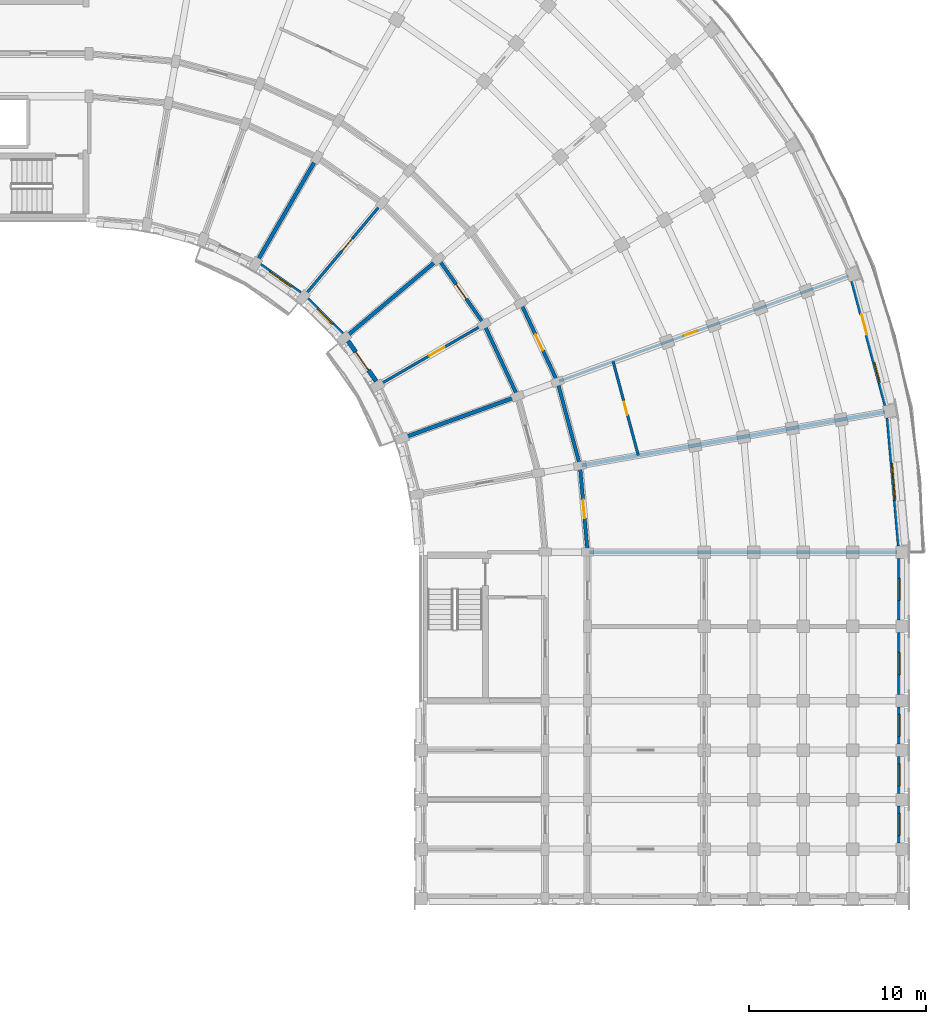
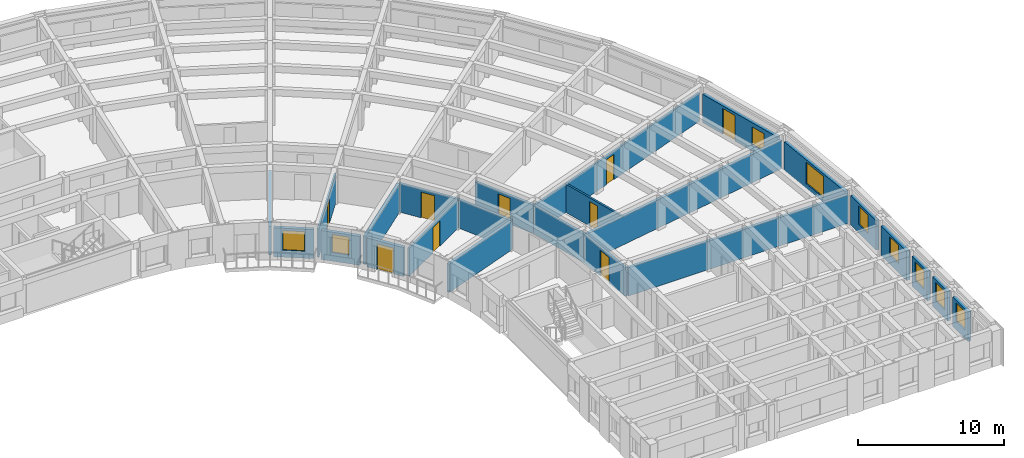
# One storey, part 36 of 57: 24 walls, 9 doors, 9 windows, 18 openings.
"""IFC4 building model written with IfcOpenShell, lengths in metres."""

from ifc_helpers import new_model, si_unit, direction, frame, frame_2d, origin, place, context, subcontext, project, spatial, rectangle, extrude, material, layer, layer_set, type_object, element, fill, save


model = new_model("IFC4")

# Units and contexts
model_context = context("Model", 3, precision=1e-05, world=origin(), true_north=direction((0.0, 1.0)))
body_context = subcontext(model_context, "Body", "Model", "MODEL_VIEW")
ifc_project = project(units=[si_unit("LENGTHUNIT", "METRE"), si_unit("AREAUNIT", "SQUARE_METRE"), si_unit("VOLUMEUNIT", "CUBIC_METRE"), si_unit("PLANEANGLEUNIT", "RADIAN"), si_unit("MASSUNIT", "GRAM", prefix="KILO")], contexts=[model_context])

# Site, building, storey
site_placement = place(None, origin())
site = spatial("IfcSite", under=ifc_project, at=site_placement, CompositionType="ELEMENT")
building_placement = place(site_placement, origin())
building = spatial("IfcBuilding", under=site, at=building_placement, Name="Kiranvali Square Residences", CompositionType="ELEMENT")
storey_placement = place(building_placement, frame((0.0, 0.0, 24.449951171875)))
storey = spatial("IfcBuildingStorey", under=building, at=storey_placement, Name="L07", CompositionType="ELEMENT", Elevation=24.449951171875)

# Wall, opening, door
ifc_material_1 = material(Name="Autoclaved aerated concrete blockwork masonry", Category="masonry")
ifc_layer_1 = layer(ifc_material_1, 0.199951171875)
ifc_layer_set_1 = layer_set([ifc_layer_1], Name="Autoclaved aerated concrete blockwork masonry")
wall_type_1 = type_object("IfcWallType", Name="WL-COR-200", PredefinedType="STANDARD", material=ifc_layer_set_1)
wall_1_placement = place(storey_placement, frame((139.56396484375, 104.384033203125, 0.0), z_axis=(0.0, 0.0, 1.0), x_axis=(0.573571637217, -0.819155404658, 0.0)))
wall_1 = element("IfcWall", 1, at=wall_1_placement, inside=storey, type_object=wall_type_1, Name="L07 architectural wall WL-L07-B-CCI-5", PredefinedType="STANDARD", context=body_context, shape_type="SweptSolid", body=[
    extrude(rectangle(XDim=4.497314453125, YDim=0.199951171875, at=frame_2d((2.24853515625, 0.0))), origin(), (0.0, 0.0, 1.0), 2.3720703125),
])
opening_1_placement = place(wall_1_placement, frame((1.74853515625, 0.0, 0.0)))
opening_1 = element("IfcOpeningElement", 2, at=opening_1_placement, cuts=wall_1, Name="Opening FD-APT-60", PredefinedType="OPENING", context=body_context, shape_type="SweptSolid", body=[
    extrude(rectangle(XDim=1.0, YDim=2.14990234375, at=frame_2d((0.5, 1.074951171875))), frame((0.0, 0.10986328125, 0.0), z_axis=(0.0, -1.0, 0.0), x_axis=(1.0, 0.0, 0.0)), (0.0, 0.0, 1.0), 0.219970703125),
])
ifc_material_2 = material(Name="Fire-rated acoustic hardwood and mineral-core door assembly", Category="wood")
door_type_1 = type_object("IfcDoorType", Name="DR-APT-1000", OperationType="NOTDEFINED", PredefinedType="DOOR", material=ifc_material_2)
door_1_placement = place(opening_1_placement, origin())
door_1 = element("IfcDoor", 3, at=door_1_placement, inside=storey, type_object=door_type_1, Name="L07 door DR-L07-1433 (DR-APT-1000)", OperationType="SINGLE_SWING_LEFT", OverallHeight=2.14990234375, OverallWidth=1.0, PredefinedType="DOOR", context=body_context, shape_type="SweptSolid", body=[
    extrude(rectangle(XDim=1.0, YDim=2.14990234375, at=frame_2d((0.5, 1.074951171875))), frame((0.0, 0.02490234375, 0.0), z_axis=(0.0, -1.0, 0.0), x_axis=(1.0, 0.0, 0.0)), (0.0, 0.0, 1.0), 0.050048828125),
])
fill(opening_1, door_1)

# Wall
wall_2_placement = place(storey_placement, frame((142.1435546875, 100.699951171875, 0.0), z_axis=(0.0, 0.0, 1.0), x_axis=(0.422617978463, -0.906307919131, 0.0)))
element("IfcWall", 4, at=wall_2_placement, inside=storey, type_object=wall_type_1, Name="L07 architectural wall WL-L07-B-CCI-6", PredefinedType="STANDARD", context=body_context, shape_type="SweptSolid", body=[
    extrude(rectangle(XDim=4.497314453125, YDim=0.199951171875, at=frame_2d((2.24853515625, 0.0))), origin(), (0.0, 0.0, 1.0), 2.3720703125),
])

# Wall, opening, door
wall_3_placement = place(storey_placement, frame((144.221923828125, 101.89990234375, 0.0), z_axis=(0.0, 0.0, 1.0), x_axis=(0.422629854778, -0.906302381024, 0.0)))
wall_3 = element("IfcWall", 5, at=wall_3_placement, inside=storey, type_object=wall_type_1, Name="L07 architectural wall WL-L07-B-CCO-6", PredefinedType="STANDARD", context=body_context, shape_type="SweptSolid", body=[
    extrude(rectangle(XDim=4.915283203125, YDim=0.199951171875, at=frame_2d((2.45751953125, 0.0))), origin(), (0.0, 0.0, 1.0), 2.3720703125),
])
opening_2_placement = place(wall_3_placement, frame((1.957763671875, 0.0, 0.0)))
opening_2 = element("IfcOpeningElement", 6, at=opening_2_placement, cuts=wall_3, Name="Opening FD-APT-60", PredefinedType="OPENING", context=body_context, shape_type="SweptSolid", body=[
    extrude(rectangle(XDim=1.0, YDim=2.14990234375, at=frame_2d((0.5, 1.074951171875))), frame((0.0, 0.10986328125, 0.0), z_axis=(0.0, -1.0, 0.0), x_axis=(1.0, 0.0, 0.0)), (0.0, 0.0, 1.0), 0.219970703125),
])
door_2_placement = place(opening_2_placement, frame((1.0, 0.0, 0.0), z_axis=(0.0, 0.0, 1.0), x_axis=(-1.0, 0.0, 0.0)))
door_2 = element("IfcDoor", 7, at=door_2_placement, inside=storey, type_object=door_type_1, Name="L07 door DR-L07-1428 (DR-APT-1000)", OperationType="SINGLE_SWING_RIGHT", OverallHeight=2.14990234375, OverallWidth=1.0, PredefinedType="DOOR", context=body_context, shape_type="SweptSolid", body=[
    extrude(rectangle(XDim=1.0, YDim=2.14990234375, at=frame_2d((0.5, 1.074951171875))), frame((0.0, 0.02490234375, 0.0), z_axis=(0.0, -1.0, 0.0), x_axis=(1.0, 0.0, 0.0)), (0.0, 0.0, 1.0), 0.050048828125),
])
fill(opening_2, door_2)

# Wall
wall_4_placement = place(storey_placement, frame((146.29931640625, 97.445068359375, 0.0), z_axis=(0.0, 0.0, 1.0), x_axis=(0.258803112091, -0.965930095386, 0.0)))
element("IfcWall", 8, at=wall_4_placement, inside=storey, type_object=wall_type_1, Name="L07 architectural wall WL-L07-B-CCO-7", PredefinedType="STANDARD", context=body_context, shape_type="SweptSolid", body=[
    extrude(rectangle(XDim=4.915771484375, YDim=0.199951171875, at=frame_2d((2.4580078125, 0.0))), origin(), (0.0, 0.0, 1.0), 2.3720703125),
])

# Wall, opening, door
wall_5_placement = place(storey_placement, frame((147.571533203125, 92.69677734375, 0.0), z_axis=(0.0, 0.0, 1.0), x_axis=(0.087167566415, -0.996193663584, 0.0)))
wall_5 = element("IfcWall", 9, at=wall_5_placement, inside=storey, type_object=wall_type_1, Name="L07 architectural wall WL-L07-B-CCO-8", PredefinedType="STANDARD", context=body_context, shape_type="SweptSolid", body=[
    extrude(rectangle(XDim=4.91552734375, YDim=0.199951171875, at=frame_2d((2.457763671875, 0.0))), origin(), (0.0, 0.0, 1.0), 2.3720703125),
])
opening_3_placement = place(wall_5_placement, frame((1.937744140625, 0.0, 0.0)))
opening_3 = element("IfcOpeningElement", 10, at=opening_3_placement, cuts=wall_5, Name="Opening FD-APT-60B", PredefinedType="OPENING", context=body_context, shape_type="SweptSolid", body=[
    extrude(rectangle(XDim=1.0400390625, YDim=2.14990234375, at=frame_2d((0.52001953125, 1.074951171875))), frame((0.0, 0.10986328125, 0.0), z_axis=(0.0, -1.0, 0.0), x_axis=(1.0, 0.0, 0.0)), (0.0, 0.0, 1.0), 0.219970703125),
])
door_type_2 = type_object("IfcDoorType", Name="DR-APT-1040", OperationType="NOTDEFINED", PredefinedType="DOOR", material=ifc_material_2)
door_3_placement = place(opening_3_placement, frame((1.0400390625, 0.0, 0.0), z_axis=(0.0, 0.0, 1.0), x_axis=(-1.0, 0.0, 0.0)))
door_3 = element("IfcDoor", 11, at=door_3_placement, inside=storey, type_object=door_type_2, Name="L07 door DR-L07-1430 (DR-APT-1040)", OperationType="SINGLE_SWING_RIGHT", OverallHeight=2.14990234375, OverallWidth=1.0400390625, PredefinedType="DOOR", context=body_context, shape_type="SweptSolid", body=[
    extrude(rectangle(XDim=1.0400390625, YDim=2.14990234375, at=frame_2d((0.52001953125, 1.074951171875))), frame((0.0, 0.02490234375, 0.0), z_axis=(0.0, -1.0, 0.0), x_axis=(1.0, 0.0, 0.0)), (0.0, 0.0, 1.0), 0.050048828125),
])
fill(opening_3, door_3)

# Walls
ifc_layer_2 = layer(ifc_material_1, 0.219970703125)
ifc_layer_set_2 = layer_set([ifc_layer_2], Name="Autoclaved aerated concrete blockwork masonry")
wall_type_2 = type_object("IfcWallType", Name="WL-DEM-220", PredefinedType="STANDARD", material=ifc_layer_set_2)
for number, where, z_axis, x_axis, name in (
    (12, (129.300048828125, 104.25439453125, 0.0), (0.0, 0.0, 1.0), (0.499997969693, 0.866026575979, 0.0), "L07 architectural wall WL-L07-B-RADI-3"),
    (13, (134.354736328125, 100.012939453125, 0.0), (0.0, 0.0, 1.0), (0.766046761698, 0.642784846501, 0.0), "L07 architectural wall WL-L07-B-RADI-5"),
    (14, (137.654052734375, 94.29833984375, 0.0), (0.0, 0.0, 1.0), (0.939696231917, 0.342010221662, 0.0), "L07 architectural wall WL-L07-B-RADI-7"),
):
    element("IfcWall", number, at=place(storey_placement, frame(where, z_axis=z_axis, x_axis=x_axis)), inside=storey, type_object=wall_type_2, Name=name, PredefinedType="STANDARD", context=body_context, shape_type="SweptSolid", body=[
        extrude(rectangle(XDim=6.75, YDim=0.219970703125, at=frame_2d((3.375, 0.0))), origin(), (0.0, 0.0, 1.0), 2.3720703125),
    ])
for number, where, z_axis, x_axis, name in (
    (15, (147.670166015625, 92.71435546875, 0.0), (0.0, 0.0, 1.0), (0.984808098809, 0.173646216546, 0.0), "L07 architectural wall WL-L07-B-RADO-8"),
    (16, (148.10009765625, 87.800048828125, 0.0), (0.0, 0.0, 1.0), (1.0, 0.0, 0.0), "L07 architectural wall WL-L07-B-RADO-9"),
):
    element("IfcWall", number, at=place(storey_placement, frame(where, z_axis=z_axis, x_axis=x_axis)), inside=storey, type_object=wall_type_2, Name=name, PredefinedType="STANDARD", context=body_context, shape_type="SweptSolid", body=[
        extrude(rectangle(XDim=17.419921875, YDim=0.219970703125, at=frame_2d((8.7099609375, 0.0))), origin(), (0.0, 0.0, 1.0), 2.3720703125),
    ])

# Wall, openings, door, window
ifc_material_3 = material(Name="Breathable lime-rendered clay brick masonry", Category="masonry")
ifc_layer_3 = layer(ifc_material_3, 0.25)
ifc_layer_set_3 = layer_set([ifc_layer_3], Name="Breathable lime-rendered clay brick masonry")
wall_type_3 = type_object("IfcWallType", Name="WL-EXT-250", PredefinedType="STANDARD", material=ifc_layer_set_3)
wall_6_placement = place(storey_placement, frame((163.00244140625, 103.137451171875, 0.0), z_axis=(0.0, 0.0, 1.0), x_axis=(0.258802140196, -0.965930355787, 0.0)))
wall_6 = element("IfcWall", 17, at=wall_6_placement, inside=storey, type_object=wall_type_3, Name="L07 exterior wall B-L07-CRV-07", PredefinedType="STANDARD", context=body_context, shape_type="SweptSolid", body=[
    extrude(rectangle(XDim=7.2666015625, YDim=0.25, at=frame_2d((3.63330078125, 0.0))), origin(), (0.0, 0.0, 1.0), 2.3720703125),
])
opening_4_placement = place(wall_6_placement, frame((4.765625, 0.0, 0.52197265625)))
opening_4 = element("IfcOpeningElement", 18, at=opening_4_placement, cuts=wall_6, Name="Opening W-06", PredefinedType="OPENING", context=body_context, shape_type="SweptSolid", body=[
    extrude(rectangle(XDim=1.199951171875, YDim=1.5, at=frame_2d((0.60009765625, 0.75))), frame((0.0, 0.135009765625, 0.0), z_axis=(0.0, -1.0, 0.0), x_axis=(1.0, 0.0, 0.0)), (0.0, 0.0, 1.0), 0.27001953125),
])
opening_5_placement = place(wall_6_placement, frame((1.943359375, 0.0, 0.0)))
opening_5 = element("IfcOpeningElement", 19, at=opening_5_placement, cuts=wall_6, Name="Opening ED-BAL-1", PredefinedType="OPENING", context=body_context, shape_type="SweptSolid", body=[
    extrude(rectangle(XDim=1.199951171875, YDim=2.14990234375, at=frame_2d((0.60009765625, 1.074951171875))), frame((0.0, 0.135009765625, 0.0), z_axis=(0.0, -1.0, 0.0), x_axis=(1.0, 0.0, 0.0)), (0.0, 0.0, 1.0), 0.27001953125),
])
ifc_material_4 = material(Name="Anodised bronze aluminium framing", Category="aluminium")
door_type_3 = type_object("IfcDoorType", Name="DR-BAL-1200", OperationType="NOTDEFINED", PredefinedType="DOOR", material=ifc_material_4)
door_4_placement = place(opening_5_placement, origin())
door_4 = element("IfcDoor", 20, at=door_4_placement, inside=storey, type_object=door_type_3, Name="L07 balcony terrace door", OperationType="SINGLE_SWING_RIGHT", OverallHeight=2.14990234375, OverallWidth=1.199951171875, PredefinedType="DOOR", context=body_context, shape_type="SweptSolid", body=[
    extrude(rectangle(XDim=1.199951171875, YDim=2.14990234375, at=frame_2d((0.60009765625, 1.074951171875))), frame((0.0, 0.02490234375, 0.0), z_axis=(0.0, -1.0, 0.0), x_axis=(1.0, 0.0, 0.0)), (0.0, 0.0, 1.0), 0.050048828125),
])
fill(opening_5, door_4)
ifc_material_5 = material(Name="Solar-control low-e double glazing", Category="glass")
window_type_1 = type_object("IfcWindowType", Name="WIN-RES-1200x1500", PartitioningType="SINGLE_PANEL", PredefinedType="WINDOW", material=ifc_material_5)
window_1_placement = place(opening_4_placement, origin())
window_1 = element("IfcWindow", 21, at=window_1_placement, inside=storey, type_object=window_type_1, Name="L07 recessed window B-L07-CRV-07", OverallHeight=1.5, OverallWidth=1.199951171875, PartitioningType="SINGLE_PANEL", PredefinedType="WINDOW", context=body_context, shape_type="SweptSolid", body=[
    extrude(rectangle(XDim=1.199951171875, YDim=1.5, at=frame_2d((0.60009765625, 0.75))), frame((0.0, 0.030029296875, 0.0), z_axis=(0.0, -1.0, 0.0), x_axis=(1.0, 0.0, 0.0)), (0.0, 0.0, 1.0), 0.06005859375),
])
fill(opening_4, window_1)

# Wall, opening, window
wall_7_placement = place(storey_placement, frame((165.00927734375, 95.402587890625, 0.0), z_axis=(0.0, 0.0, 1.0), x_axis=(0.08718487158, -0.99619214922, 0.0)))
wall_7 = element("IfcWall", 22, at=wall_7_placement, inside=storey, type_object=wall_type_3, Name="L07 exterior wall B-L07-CRV-08", PredefinedType="STANDARD", context=body_context, shape_type="SweptSolid", body=[
    extrude(rectangle(XDim=7.2666015625, YDim=0.25, at=frame_2d((3.63330078125, 0.0))), origin(), (0.0, 0.0, 1.0), 2.3720703125),
])
opening_6_placement = place(wall_7_placement, frame((2.583251953125, 0.0, 0.3720703125)))
opening_6 = element("IfcOpeningElement", 23, at=opening_6_placement, cuts=wall_7, Name="Opening W-03", PredefinedType="OPENING", context=body_context, shape_type="SweptSolid", body=[
    extrude(rectangle(XDim=2.10009765625, YDim=1.800048828125, at=frame_2d((1.050048828125, 0.89990234375))), frame((0.0, 0.135009765625, 0.0), z_axis=(0.0, -1.0, 0.0), x_axis=(1.0, 0.0, 0.0)), (0.0, 0.0, 1.0), 0.27001953125),
])
window_type_2 = type_object("IfcWindowType", Name="WIN-RES-2100x1800", PartitioningType="TRIPLE_PANEL_VERTICAL", PredefinedType="WINDOW", material=ifc_material_5)
window_2_placement = place(opening_6_placement, origin())
window_2 = element("IfcWindow", 24, at=window_2_placement, inside=storey, type_object=window_type_2, Name="L07 recessed window B-L07-CRV-08", OverallHeight=1.800048828125, OverallWidth=2.10009765625, PartitioningType="TRIPLE_PANEL_VERTICAL", PredefinedType="WINDOW", context=body_context, shape_type="SweptSolid", body=[
    extrude(rectangle(XDim=2.10009765625, YDim=1.800048828125, at=frame_2d((1.050048828125, 0.89990234375))), frame((0.0, 0.030029296875, 0.0), z_axis=(0.0, -1.0, 0.0), x_axis=(1.0, 0.0, 0.0)), (0.0, 0.0, 1.0), 0.06005859375),
])
fill(opening_6, window_2)

wall_8_placement = place(storey_placement, frame((129.4794921875, 104.038330078125, 0.0), z_axis=(0.0, 0.0, 1.0), x_axis=(0.819111815273, -0.573633885053, 0.0)))
wall_8 = element("IfcWall", 25, at=wall_8_placement, inside=storey, type_object=wall_type_3, Name="L07 exterior wall B-L07-GDN-03", PredefinedType="STANDARD", context=body_context, shape_type="SweptSolid", body=[
    extrude(rectangle(XDim=2.769775390625, YDim=0.25, at=frame_2d((1.384765625, 0.0))), origin(), (0.0, 0.0, 1.0), 2.422119140625),
])
opening_7_placement = place(wall_8_placement, frame((0.635009765625, 0.0, 0.572021484375)))
opening_7 = element("IfcOpeningElement", 26, at=opening_7_placement, cuts=wall_8, Name="Opening W-05", PredefinedType="OPENING", context=body_context, shape_type="SweptSolid", body=[
    extrude(rectangle(XDim=1.5, YDim=1.64990234375, at=frame_2d((0.75, 0.824951171875))), frame((0.0, 0.135009765625, 0.0), z_axis=(0.0, -1.0, 0.0), x_axis=(1.0, 0.0, 0.0)), (0.0, 0.0, 1.0), 0.27001953125),
])
window_type_3 = type_object("IfcWindowType", Name="WIN-RES-1500x1650", PartitioningType="DOUBLE_PANEL_VERTICAL", PredefinedType="WINDOW", material=ifc_material_5)
window_3_placement = place(opening_7_placement, origin())
window_3 = element("IfcWindow", 27, at=window_3_placement, inside=storey, type_object=window_type_3, Name="L07 recessed window B-L07-GDN-03", OverallHeight=1.64990234375, OverallWidth=1.5, PartitioningType="DOUBLE_PANEL_VERTICAL", PredefinedType="WINDOW", context=body_context, shape_type="SweptSolid", body=[
    extrude(rectangle(XDim=1.5, YDim=1.64990234375, at=frame_2d((0.75, 0.824951171875))), frame((0.0, 0.030029296875, 0.0), z_axis=(0.0, -1.0, 0.0), x_axis=(1.0, 0.0, 0.0)), (0.0, 0.0, 1.0), 0.06005859375),
])
fill(opening_7, window_3)

wall_9_placement = place(storey_placement, frame((132.152099609375, 102.11083984375, 0.0), z_axis=(0.0, 0.0, 1.0), x_axis=(0.707106781187, -0.707106781187, 0.0)))
wall_9 = element("IfcWall", 28, at=wall_9_placement, inside=storey, type_object=wall_type_3, Name="L07 exterior wall B-L07-GDN-04", PredefinedType="STANDARD", context=body_context, shape_type="SweptSolid", body=[
    extrude(rectangle(XDim=2.77001953125, YDim=0.25, at=frame_2d((1.385009765625, 0.0))), origin(), (0.0, 0.0, 1.0), 2.422119140625),
])
opening_8_placement = place(wall_9_placement, frame((0.784912109375, 0.0, 0.721923828125)))
opening_8 = element("IfcOpeningElement", 29, at=opening_8_placement, cuts=wall_9, Name="Opening W-06", PredefinedType="OPENING", context=body_context, shape_type="SweptSolid", body=[
    extrude(rectangle(XDim=1.199951171875, YDim=1.5, at=frame_2d((0.60009765625, 0.75))), frame((0.0, 0.135009765625, 0.0), z_axis=(0.0, -1.0, 0.0), x_axis=(1.0, 0.0, 0.0)), (0.0, 0.0, 1.0), 0.27001953125),
])
window_4_placement = place(opening_8_placement, origin())
window_4 = element("IfcWindow", 30, at=window_4_placement, inside=storey, type_object=window_type_1, Name="L07 recessed window B-L07-GDN-04", OverallHeight=1.5, OverallWidth=1.199951171875, PartitioningType="SINGLE_PANEL", PredefinedType="WINDOW", context=body_context, shape_type="SweptSolid", body=[
    extrude(rectangle(XDim=1.199951171875, YDim=1.5, at=frame_2d((0.60009765625, 0.75))), frame((0.0, 0.030029296875, 0.0), z_axis=(0.0, -1.0, 0.0), x_axis=(1.0, 0.0, 0.0)), (0.0, 0.0, 1.0), 0.06005859375),
])
fill(opening_8, window_4)

# Wall, opening, door
wall_10_placement = place(storey_placement, frame((134.449462890625, 99.748291015625, 0.0), z_axis=(0.0, 0.0, 1.0), x_axis=(0.573633885053, -0.819111815273, 0.0)))
wall_10 = element("IfcWall", 31, at=wall_10_placement, inside=storey, type_object=wall_type_3, Name="L07 exterior wall B-L07-GDN-05", PredefinedType="STANDARD", context=body_context, shape_type="SweptSolid", body=[
    extrude(rectangle(XDim=2.769775390625, YDim=0.25, at=frame_2d((1.384765625, 0.0))), origin(), (0.0, 0.0, 1.0), 2.422119140625),
])
opening_9_placement = place(wall_10_placement, frame((0.7548828125, 0.0, 0.0)))
opening_9 = element("IfcOpeningElement", 32, at=opening_9_placement, cuts=wall_10, Name="Opening ED-BAL-2", PredefinedType="OPENING", context=body_context, shape_type="SweptSolid", body=[
    extrude(rectangle(XDim=1.260009765625, YDim=2.14990234375, at=frame_2d((0.6298828125, 1.074951171875))), frame((0.0, 0.135009765625, 0.0), z_axis=(0.0, -1.0, 0.0), x_axis=(1.0, 0.0, 0.0)), (0.0, 0.0, 1.0), 0.27001953125),
])
door_type_4 = type_object("IfcDoorType", Name="DR-BAL-1260", OperationType="NOTDEFINED", PredefinedType="DOOR", material=ifc_material_4)
door_5_placement = place(opening_9_placement, frame((1.260009765625, 0.0, 0.0), z_axis=(0.0, 0.0, 1.0), x_axis=(-1.0, 0.0, 0.0)))
door_5 = element("IfcDoor", 33, at=door_5_placement, inside=storey, type_object=door_type_4, Name="L07 balcony terrace door", OperationType="SINGLE_SWING_RIGHT", OverallHeight=2.14990234375, OverallWidth=1.260009765625, PredefinedType="DOOR", context=body_context, shape_type="SweptSolid", body=[
    extrude(rectangle(XDim=1.260009765625, YDim=2.14990234375, at=frame_2d((0.6298828125, 1.074951171875))), frame((0.0, 0.02490234375, 0.0), z_axis=(0.0, -1.0, 0.0), x_axis=(1.0, 0.0, 0.0)), (0.0, 0.0, 1.0), 0.050048828125),
])
fill(opening_9, door_5)

# Wall, opening, window
wall_11_placement = place(storey_placement, frame((165.675048828125, 87.446533203125, 0.0), z_axis=(0.0, 0.0, 1.0), x_axis=(0.0, -1.0, 0.0)))
wall_11 = element("IfcWall", 34, at=wall_11_placement, inside=storey, type_object=wall_type_3, Name="L07 exterior wall B-L07-A2O-0", PredefinedType="STANDARD", context=body_context, shape_type="SweptSolid", body=[
    extrude(rectangle(XDim=3.492919921875, YDim=0.25, at=frame_2d((1.74658203125, 0.0))), origin(), (0.0, 0.0, 1.0), 2.47216796875),
])
opening_10_placement = place(wall_11_placement, frame((1.12158203125, 0.0, 0.721923828125)))
opening_10 = element("IfcOpeningElement", 35, at=opening_10_placement, cuts=wall_11, Name="Opening W-19", PredefinedType="OPENING", context=body_context, shape_type="SweptSolid", body=[
    extrude(rectangle(XDim=1.25, YDim=1.550048828125, at=frame_2d((0.625, 0.77490234375))), frame((0.0, 0.135009765625, 0.0), z_axis=(0.0, -1.0, 0.0), x_axis=(1.0, 0.0, 0.0)), (0.0, 0.0, 1.0), 0.27001953125),
])
window_type_4 = type_object("IfcWindowType", Name="WIN-GDN-1250x1550", PartitioningType="SINGLE_PANEL", PredefinedType="WINDOW", material=ifc_material_5)
window_5_placement = place(opening_10_placement, origin())
window_5 = element("IfcWindow", 36, at=window_5_placement, inside=storey, type_object=window_type_4, Name="L07 recessed window B-L07-A2O-0", OverallHeight=1.550048828125, OverallWidth=1.25, PartitioningType="SINGLE_PANEL", PredefinedType="WINDOW", context=body_context, shape_type="SweptSolid", body=[
    extrude(rectangle(XDim=1.25, YDim=1.550048828125, at=frame_2d((0.625, 0.77490234375))), frame((0.0, 0.030029296875, 0.0), z_axis=(0.0, -1.0, 0.0), x_axis=(1.0, 0.0, 0.0)), (0.0, 0.0, 1.0), 0.06005859375),
])
fill(opening_10, window_5)

wall_12_placement = place(storey_placement, frame((165.675048828125, 83.24658203125, 0.0), z_axis=(0.0, 0.0, 1.0), x_axis=(0.0, -1.0, 0.0)))
wall_12 = element("IfcWall", 37, at=wall_12_placement, inside=storey, type_object=wall_type_3, Name="L07 exterior wall B-L07-A2O-1", PredefinedType="STANDARD", context=body_context, shape_type="SweptSolid", body=[
    extrude(rectangle(XDim=3.4931640625, YDim=0.25, at=frame_2d((1.74658203125, 0.0))), origin(), (0.0, 0.0, 1.0), 2.47216796875),
])
opening_11_placement = place(wall_12_placement, frame((1.12158203125, 0.0, 0.721923828125)))
opening_11 = element("IfcOpeningElement", 38, at=opening_11_placement, cuts=wall_12, Name="Opening W-19", PredefinedType="OPENING", context=body_context, shape_type="SweptSolid", body=[
    extrude(rectangle(XDim=1.25, YDim=1.550048828125, at=frame_2d((0.625, 0.77490234375))), frame((0.0, 0.135009765625, 0.0), z_axis=(0.0, -1.0, 0.0), x_axis=(1.0, 0.0, 0.0)), (0.0, 0.0, 1.0), 0.27001953125),
])
window_6_placement = place(opening_11_placement, origin())
window_6 = element("IfcWindow", 39, at=window_6_placement, inside=storey, type_object=window_type_4, Name="L07 recessed window B-L07-A2O-1", OverallHeight=1.550048828125, OverallWidth=1.25, PartitioningType="SINGLE_PANEL", PredefinedType="WINDOW", context=body_context, shape_type="SweptSolid", body=[
    extrude(rectangle(XDim=1.25, YDim=1.550048828125, at=frame_2d((0.625, 0.77490234375))), frame((0.0, 0.030029296875, 0.0), z_axis=(0.0, -1.0, 0.0), x_axis=(1.0, 0.0, 0.0)), (0.0, 0.0, 1.0), 0.06005859375),
])
fill(opening_11, window_6)

wall_13_placement = place(storey_placement, frame((165.675048828125, 79.04638671875, 0.0), z_axis=(0.0, 0.0, 1.0), x_axis=(0.0, -1.0, 0.0)))
wall_13 = element("IfcWall", 40, at=wall_13_placement, inside=storey, type_object=wall_type_3, Name="L07 exterior wall B-L07-A2O-2", PredefinedType="STANDARD", context=body_context, shape_type="SweptSolid", body=[
    extrude(rectangle(XDim=2.0927734375, YDim=0.25, at=frame_2d((1.04638671875, 0.0))), origin(), (0.0, 0.0, 1.0), 2.47216796875),
])
opening_12_placement = place(wall_13_placement, frame((0.42138671875, 0.0, 0.721923828125)))
opening_12 = element("IfcOpeningElement", 41, at=opening_12_placement, cuts=wall_13, Name="Opening W-19", PredefinedType="OPENING", context=body_context, shape_type="SweptSolid", body=[
    extrude(rectangle(XDim=1.25, YDim=1.550048828125, at=frame_2d((0.625, 0.77490234375))), frame((0.0, 0.135009765625, 0.0), z_axis=(0.0, -1.0, 0.0), x_axis=(1.0, 0.0, 0.0)), (0.0, 0.0, 1.0), 0.27001953125),
])
window_7_placement = place(opening_12_placement, origin())
window_7 = element("IfcWindow", 42, at=window_7_placement, inside=storey, type_object=window_type_4, Name="L07 recessed window B-L07-A2O-2", OverallHeight=1.550048828125, OverallWidth=1.25, PartitioningType="SINGLE_PANEL", PredefinedType="WINDOW", context=body_context, shape_type="SweptSolid", body=[
    extrude(rectangle(XDim=1.25, YDim=1.550048828125, at=frame_2d((0.625, 0.77490234375))), frame((0.0, 0.030029296875, 0.0), z_axis=(0.0, -1.0, 0.0), x_axis=(1.0, 0.0, 0.0)), (0.0, 0.0, 1.0), 0.06005859375),
])
fill(opening_12, window_7)

wall_14_placement = place(storey_placement, frame((165.675048828125, 76.24658203125, 0.0), z_axis=(0.0, 0.0, 1.0), x_axis=(0.0, -1.0, 0.0)))
wall_14 = element("IfcWall", 43, at=wall_14_placement, inside=storey, type_object=wall_type_3, Name="L07 exterior wall B-L07-A2O-3", PredefinedType="STANDARD", context=body_context, shape_type="SweptSolid", body=[
    extrude(rectangle(XDim=2.093017578125, YDim=0.25, at=frame_2d((1.04638671875, 0.0))), origin(), (0.0, 0.0, 1.0), 2.47216796875),
])
opening_13_placement = place(wall_14_placement, frame((0.42138671875, 0.0, 0.721923828125)))
opening_13 = element("IfcOpeningElement", 44, at=opening_13_placement, cuts=wall_14, Name="Opening W-19", PredefinedType="OPENING", context=body_context, shape_type="SweptSolid", body=[
    extrude(rectangle(XDim=1.25, YDim=1.550048828125, at=frame_2d((0.625, 0.77490234375))), frame((0.0, 0.135009765625, 0.0), z_axis=(0.0, -1.0, 0.0), x_axis=(1.0, 0.0, 0.0)), (0.0, 0.0, 1.0), 0.27001953125),
])
window_8_placement = place(opening_13_placement, origin())
window_8 = element("IfcWindow", 45, at=window_8_placement, inside=storey, type_object=window_type_4, Name="L07 recessed window B-L07-A2O-3", OverallHeight=1.550048828125, OverallWidth=1.25, PartitioningType="SINGLE_PANEL", PredefinedType="WINDOW", context=body_context, shape_type="SweptSolid", body=[
    extrude(rectangle(XDim=1.25, YDim=1.550048828125, at=frame_2d((0.625, 0.77490234375))), frame((0.0, 0.030029296875, 0.0), z_axis=(0.0, -1.0, 0.0), x_axis=(1.0, 0.0, 0.0)), (0.0, 0.0, 1.0), 0.06005859375),
])
fill(opening_13, window_8)

wall_15_placement = place(storey_placement, frame((165.675048828125, 73.446533203125, 0.0), z_axis=(0.0, 0.0, 1.0), x_axis=(0.0, -1.0, 0.0)))
wall_15 = element("IfcWall", 46, at=wall_15_placement, inside=storey, type_object=wall_type_3, Name="L07 exterior wall B-L07-A2O-4", PredefinedType="STANDARD", context=body_context, shape_type="SweptSolid", body=[
    extrude(rectangle(XDim=2.093017578125, YDim=0.25, at=frame_2d((1.04638671875, 0.0))), origin(), (0.0, 0.0, 1.0), 2.47216796875),
])
opening_14_placement = place(wall_15_placement, frame((0.42138671875, 0.0, 0.721923828125)))
opening_14 = element("IfcOpeningElement", 47, at=opening_14_placement, cuts=wall_15, Name="Opening W-19", PredefinedType="OPENING", context=body_context, shape_type="SweptSolid", body=[
    extrude(rectangle(XDim=1.25, YDim=1.550048828125, at=frame_2d((0.625, 0.77490234375))), frame((0.0, 0.135009765625, 0.0), z_axis=(0.0, -1.0, 0.0), x_axis=(1.0, 0.0, 0.0)), (0.0, 0.0, 1.0), 0.27001953125),
])
window_9_placement = place(opening_14_placement, origin())
window_9 = element("IfcWindow", 48, at=window_9_placement, inside=storey, type_object=window_type_4, Name="L07 recessed window B-L07-A2O-4", OverallHeight=1.550048828125, OverallWidth=1.25, PartitioningType="SINGLE_PANEL", PredefinedType="WINDOW", context=body_context, shape_type="SweptSolid", body=[
    extrude(rectangle(XDim=1.25, YDim=1.550048828125, at=frame_2d((0.625, 0.77490234375))), frame((0.0, 0.030029296875, 0.0), z_axis=(0.0, -1.0, 0.0), x_axis=(1.0, 0.0, 0.0)), (0.0, 0.0, 1.0), 0.06005859375),
])
fill(opening_14, window_9)

# Wall, opening, door
ifc_material_6 = material(Name="Acoustic gypsum board drylined partition", Category="gypsum")
ifc_layer_4 = layer(ifc_material_6, 0.14990234375)
ifc_layer_set_4 = layer_set([ifc_layer_4], Name="Acoustic gypsum board drylined partition")
wall_type_4 = type_object("IfcWallType", Name="WL-PRT-150", PredefinedType="PARTITIONING", material=ifc_layer_set_4)
wall_16_placement = place(storey_placement, frame((132.012939453125, 102.354736328125, 0.0), z_axis=(0.0, 0.0, 1.0), x_axis=(0.642784846501, 0.766046761698, 0.0)))
wall_16 = element("IfcWall", 49, at=wall_16_placement, inside=storey, type_object=wall_type_4, Name="L07 architectural wall WL-L07-B-RADI-4", PredefinedType="PARTITIONING", context=body_context, shape_type="SweptSolid", body=[
    extrude(rectangle(XDim=6.75, YDim=0.14990234375, at=frame_2d((3.375, 0.0))), origin(), (0.0, 0.0, 1.0), 2.3720703125),
])
opening_15_placement = place(wall_16_placement, frame((3.262451171875, 0.0, 0.0)))
opening_15 = element("IfcOpeningElement", 50, at=opening_15_placement, cuts=wall_16, Name="Opening ID-1", PredefinedType="OPENING", context=body_context, shape_type="SweptSolid", body=[
    extrude(rectangle(XDim=0.89990234375, YDim=2.10009765625, at=frame_2d((0.449951171875, 1.050048828125))), frame((0.0, 0.0849609375, 0.0), z_axis=(0.0, -1.0, 0.0), x_axis=(1.0, 0.0, 0.0)), (0.0, 0.0, 1.0), 0.169921875),
])
ifc_material_7 = material(Name="Solid seasoned teak hardwood joinery", Category="wood")
door_type_5 = type_object("IfcDoorType", Name="DR-INT-900", OperationType="NOTDEFINED", PredefinedType="DOOR", material=ifc_material_7)
door_6_placement = place(opening_15_placement, origin())
door_6 = element("IfcDoor", 51, at=door_6_placement, inside=storey, type_object=door_type_5, Name="L07 door DR-L07-1417 (DR-INT-900)", OperationType="SINGLE_SWING_LEFT", OverallHeight=2.10009765625, OverallWidth=0.89990234375, PredefinedType="DOOR", context=body_context, shape_type="SweptSolid", body=[
    extrude(rectangle(XDim=0.89990234375, YDim=2.10009765625, at=frame_2d((0.449951171875, 1.050048828125))), frame((0.0, 0.02490234375, 0.0), z_axis=(0.0, -1.0, 0.0), x_axis=(1.0, 0.0, 0.0)), (0.0, 0.0, 1.0), 0.050048828125),
])
fill(opening_15, door_6)

wall_17_placement = place(storey_placement, frame((136.25439453125, 97.300048828125, 0.0), z_axis=(0.0, 0.0, 1.0), x_axis=(0.866026575979, 0.499997969693, 0.0)))
wall_17 = element("IfcWall", 52, at=wall_17_placement, inside=storey, type_object=wall_type_4, Name="L07 architectural wall WL-L07-B-RADI-6", PredefinedType="PARTITIONING", context=body_context, shape_type="SweptSolid", body=[
    extrude(rectangle(XDim=6.75, YDim=0.14990234375, at=frame_2d((3.375, 0.0))), origin(), (0.0, 0.0, 1.0), 2.3720703125),
])
opening_16_placement = place(wall_17_placement, frame((3.222412109375, 0.0, 0.0)))
opening_16 = element("IfcOpeningElement", 53, at=opening_16_placement, cuts=wall_17, Name="Opening ID-3", PredefinedType="OPENING", context=body_context, shape_type="SweptSolid", body=[
    extrude(rectangle(XDim=0.97998046875, YDim=2.1201171875, at=frame_2d((0.489990234375, 1.06005859375))), frame((0.0, 0.0849609375, 0.0), z_axis=(0.0, -1.0, 0.0), x_axis=(1.0, 0.0, 0.0)), (0.0, 0.0, 1.0), 0.169921875),
])
door_type_6 = type_object("IfcDoorType", Name="DR-INT-980", OperationType="NOTDEFINED", PredefinedType="DOOR", material=ifc_material_7)
door_7_placement = place(opening_16_placement, frame((0.97998046875, 0.0, 0.0), z_axis=(0.0, 0.0, 1.0), x_axis=(-1.0, 0.0, 0.0)))
door_7 = element("IfcDoor", 54, at=door_7_placement, inside=storey, type_object=door_type_6, Name="L07 door DR-L07-1420 (DR-INT-980)", OperationType="SINGLE_SWING_RIGHT", OverallHeight=2.1201171875, OverallWidth=0.97998046875, PredefinedType="DOOR", context=body_context, shape_type="SweptSolid", body=[
    extrude(rectangle(XDim=0.97998046875, YDim=2.1201171875, at=frame_2d((0.489990234375, 1.06005859375))), frame((0.0, 0.02490234375, 0.0), z_axis=(0.0, -1.0, 0.0), x_axis=(1.0, 0.0, 0.0)), (0.0, 0.0, 1.0), 0.050048828125),
])
fill(opening_16, door_7)

wall_18_placement = place(storey_placement, frame((146.393310546875, 97.479248046875, 0.0), z_axis=(0.0, 0.0, 1.0), x_axis=(0.939691901159, 0.342022120477, 0.0)))
wall_18 = element("IfcWall", 55, at=wall_18_placement, inside=storey, type_object=wall_type_4, Name="L07 architectural wall WL-L07-B-RADO-7", PredefinedType="PARTITIONING", context=body_context, shape_type="SweptSolid", body=[
    extrude(rectangle(XDim=17.419921875, YDim=0.14990234375, at=frame_2d((8.7099609375, 0.0))), origin(), (0.0, 0.0, 1.0), 2.3720703125),
])
opening_17_placement = place(wall_18_placement, frame((7.5, 0.0, 0.0)))
opening_17 = element("IfcOpeningElement", 56, at=opening_17_placement, cuts=wall_18, Name="Opening ID-WET", PredefinedType="OPENING", context=body_context, shape_type="SweptSolid", body=[
    extrude(rectangle(XDim=0.800048828125, YDim=2.10009765625, at=frame_2d((0.39990234375, 1.050048828125))), frame((0.0, 0.0849609375, 0.0), z_axis=(0.0, -1.0, 0.0), x_axis=(1.0, 0.0, 0.0)), (0.0, 0.0, 1.0), 0.169921875),
])
door_type_7 = type_object("IfcDoorType", Name="DR-WET-800", OperationType="NOTDEFINED", PredefinedType="DOOR", material=ifc_material_7)
door_8_placement = place(opening_17_placement, origin())
door_8 = element("IfcDoor", 57, at=door_8_placement, inside=storey, type_object=door_type_7, Name="L07 door DR-L07-1421 (DR-WET-800)", OperationType="SINGLE_SWING_LEFT", OverallHeight=2.10009765625, OverallWidth=0.800048828125, PredefinedType="DOOR", context=body_context, shape_type="SweptSolid", body=[
    extrude(rectangle(XDim=0.800048828125, YDim=2.10009765625, at=frame_2d((0.39990234375, 1.050048828125))), frame((0.0, 0.02490234375, 0.0), z_axis=(0.0, -1.0, 0.0), x_axis=(1.0, 0.0, 0.0)), (0.0, 0.0, 1.0), 0.050048828125),
])
fill(opening_17, door_8)

ifc_layer_5 = layer(ifc_material_1, 0.14990234375)
ifc_layer_set_5 = layer_set([ifc_layer_5], Name="Autoclaved aerated concrete blockwork masonry")
wall_type_5 = type_object("IfcWallType", Name="WL-WET-150", PredefinedType="PLUMBINGWALL", material=ifc_layer_set_5)
wall_19_placement = place(storey_placement, frame((149.447265625, 98.5908203125, 0.0), z_axis=(0.0, 0.0, 1.0), x_axis=(0.258806351229, -0.965929227513, 0.0)))
wall_19 = element("IfcWall", 58, at=wall_19_placement, inside=storey, type_object=wall_type_5, Name="L07 architectural wall WL-L07-B-CWET-7", PredefinedType="PLUMBINGWALL", context=body_context, shape_type="SweptSolid", body=[
    extrude(rectangle(XDim=5.49951171875, YDim=0.14990234375, at=frame_2d((2.749755859375, 0.0))), origin(), (0.0, 0.0, 1.0), 2.3720703125),
])
opening_18_placement = place(wall_19_placement, frame((2.369873046875, 0.0, 0.0)))
opening_18 = element("IfcOpeningElement", 59, at=opening_18_placement, cuts=wall_19, Name="Opening ID-WET0", PredefinedType="OPENING", context=body_context, shape_type="SweptSolid", body=[
    extrude(rectangle(XDim=0.760009765625, YDim=2.050048828125, at=frame_2d((0.3798828125, 1.02490234375))), frame((0.0, 0.0849609375, 0.0), z_axis=(0.0, -1.0, 0.0), x_axis=(1.0, 0.0, 0.0)), (0.0, 0.0, 1.0), 0.169921875),
])
door_type_8 = type_object("IfcDoorType", Name="DR-WET-760", OperationType="NOTDEFINED", PredefinedType="DOOR", material=ifc_material_7)
door_9_placement = place(opening_18_placement, origin())
door_9 = element("IfcDoor", 60, at=door_9_placement, inside=storey, type_object=door_type_8, Name="L07 door DR-L07-1429 (DR-WET-760)", OperationType="SINGLE_SWING_LEFT", OverallHeight=2.050048828125, OverallWidth=0.760009765625, PredefinedType="DOOR", context=body_context, shape_type="SweptSolid", body=[
    extrude(rectangle(XDim=0.760009765625, YDim=2.050048828125, at=frame_2d((0.3798828125, 1.02490234375))), frame((0.0, 0.02490234375, 0.0), z_axis=(0.0, -1.0, 0.0), x_axis=(1.0, 0.0, 0.0)), (0.0, 0.0, 1.0), 0.050048828125),
])
fill(opening_18, door_9)

save(model, "model.ifc")
